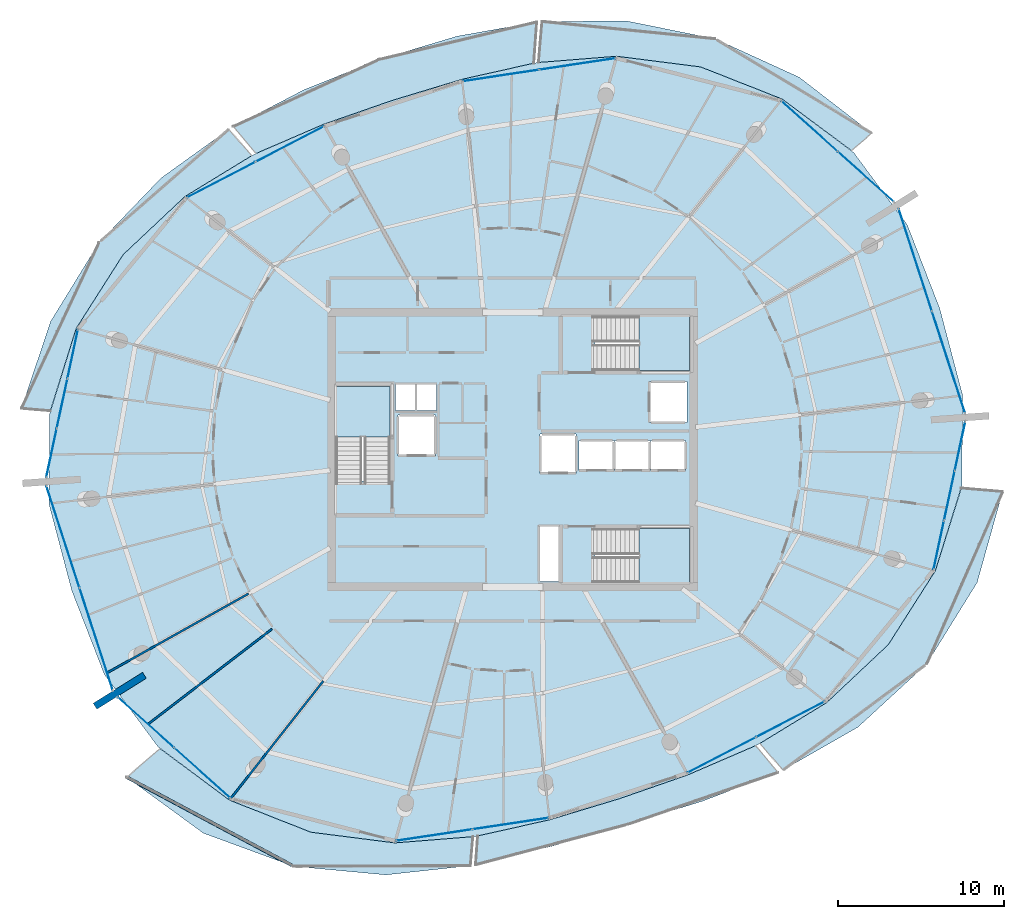
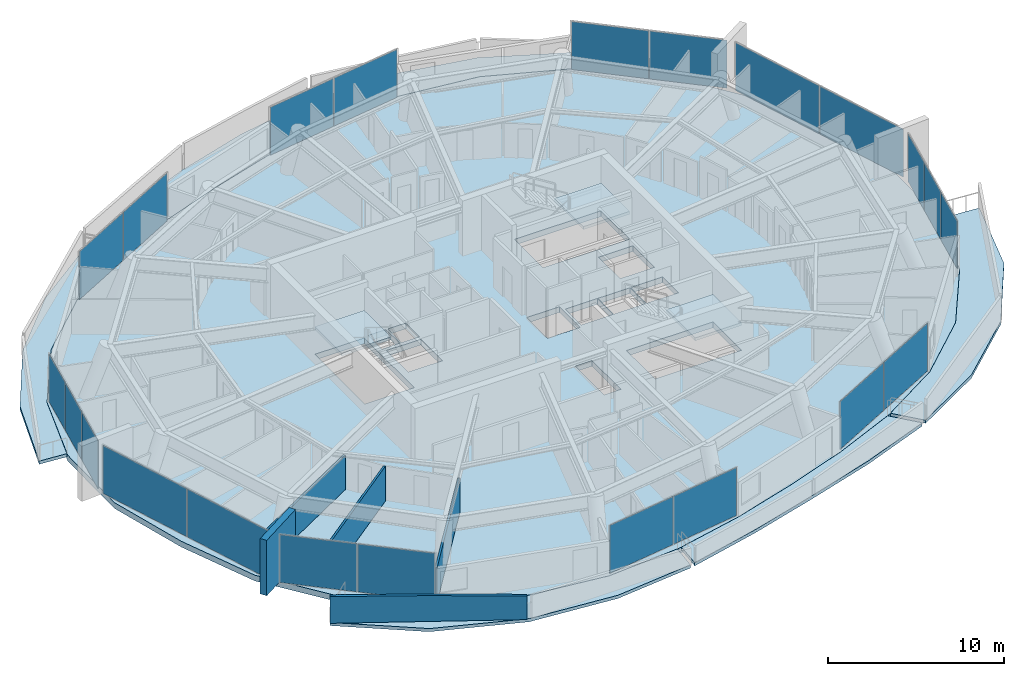
# One storey, part 13 of 24: 22 plates, 10 slabs, 5 walls, 13 elements without a shape of their own.
"""IFC4 building model written with IfcOpenShell, lengths in metres."""

from ifc_helpers import new_model, si_unit, direction, frame, frame_2d, origin, origin_2d, place, context, subcontext, project, spatial, polyline, rectangle, outline, extrude, material, layer, layer_set, type_object, element, aggregate, save


model = new_model("IFC4")

# Units and contexts
model_context = context("Model", 3, precision=1e-05, world=origin(), true_north=direction((0.0, 1.0)))
body_context = subcontext(model_context, "Body", "Model", "MODEL_VIEW")
ifc_project = project(units=[si_unit("LENGTHUNIT", "METRE"), si_unit("AREAUNIT", "SQUARE_METRE"), si_unit("VOLUMEUNIT", "CUBIC_METRE"), si_unit("PLANEANGLEUNIT", "RADIAN"), si_unit("MASSUNIT", "GRAM", prefix="KILO")], contexts=[model_context])

# Site, building, storey
site_placement = place(None, origin())
site = spatial("IfcSite", under=ifc_project, at=site_placement, CompositionType="ELEMENT")
building_placement = place(site_placement, origin())
building = spatial("IfcBuilding", under=site, at=building_placement, Name="Kazma Halo Residences", CompositionType="ELEMENT")
storey_placement = place(building_placement, frame((0.0, 0.0, 309.85009765625)))
storey = spatial("IfcBuildingStorey", under=building, at=storey_placement, Name="L78", CompositionType="ELEMENT", Elevation=309.85009765625)

# Curtain wall, plates
ifc_material_1 = material(Name="Aluminium AW-6063 T6 and Triple-Silver Low-E Glass", Category="aluminium")
ifc_layer_1 = layer(ifc_material_1, 0.139892578125)
ifc_layer_set_1 = layer_set([ifc_layer_1], Name="Aluminium AW-6063 T6 and Triple-Silver Low-E Glass")
curtain_wall_type = type_object("IfcCurtainWallType", Name="CW-SYS-5", PredefinedType="NOTDEFINED", material=ifc_layer_set_1)
curtain_wall_1_placement = place(storey_placement, origin())
curtain_wall_1 = element("IfcCurtainWall", 1, at=curtain_wall_1_placement, inside=storey, type_object=curtain_wall_type, Name="L78 unitised curtain wall B01", PredefinedType="NOTDEFINED")
ifc_material_2 = material(Name="Clear Triple-Silver Low-E Glass IGU", Category="glass")
ifc_layer_2 = layer(ifc_material_2, 0.02587890625)
ifc_layer_set_2 = layer_set([ifc_layer_2], Name="Clear Triple-Silver Low-E Glass IGU")
plate_type = type_object("IfcPlateType", Name="CW-SYS-5-PNL", PredefinedType="CURTAIN_PANEL", material=ifc_layer_set_2)
plate_1_placement = place(storey_placement, frame((69.629150390625, 58.383544921875, 0.059814453125), z_axis=(0.0, 0.0, 1.0), x_axis=(-0.744362326136, 0.667775956013, 0.0)))
plate_1 = element("IfcPlate", 2, at=plate_1_placement, type_object=plate_type, Name="CWS-5 panel 1.1", PredefinedType="CURTAIN_PANEL", context=body_context, shape_type="SweptSolid", body=[
    extrude(rectangle(XDim=4.4912109375, YDim=0.02587890625, at=origin_2d()), origin(), (0.0, 0.0, 1.0), 3.330078125),
])
plate_2_placement = place(storey_placement, frame((66.241455078125, 61.422607421875, 0.059814453125), z_axis=(0.0, 0.0, 1.0), x_axis=(-0.744362326136, 0.667775956013, 0.0)))
plate_2 = element("IfcPlate", 3, at=plate_2_placement, type_object=plate_type, Name="CWS-5 panel 2.1", PredefinedType="CURTAIN_PANEL", context=body_context, shape_type="SweptSolid", body=[
    extrude(rectangle(XDim=4.4912109375, YDim=0.02587890625, at=origin_2d()), origin(), (0.0, 0.0, 1.0), 3.330078125),
])
aggregate(curtain_wall_1, [plate_1, plate_2])

curtain_wall_2_placement = place(storey_placement, origin())
curtain_wall_2 = element("IfcCurtainWall", 4, at=curtain_wall_2_placement, inside=storey, type_object=curtain_wall_type, Name="L78 unitised curtain wall B03", PredefinedType="NOTDEFINED")
plate_3_placement = place(storey_placement, frame((52.303955078125, 65.16162109375, 0.059814453125), z_axis=(0.0, 0.0, 1.0), x_axis=(-0.9888666841, -0.148804170229, 0.0)))
plate_3 = element("IfcPlate", 5, at=plate_3_placement, type_object=plate_type, Name="CWS-5 panel 1.1", PredefinedType="CURTAIN_PANEL", context=body_context, shape_type="SweptSolid", body=[
    extrude(rectangle(XDim=4.586669921875, YDim=0.02587890625, at=origin_2d()), origin(), (0.0, 0.0, 1.0), 3.330078125),
])
plate_4_placement = place(storey_placement, frame((47.708984375, 64.469970703125, 0.059814453125), z_axis=(0.0, 0.0, 1.0), x_axis=(-0.9888666841, -0.148804170229, 0.0)))
plate_4 = element("IfcPlate", 6, at=plate_4_placement, type_object=plate_type, Name="CWS-5 panel 2.1", PredefinedType="CURTAIN_PANEL", context=body_context, shape_type="SweptSolid", body=[
    extrude(rectangle(XDim=4.586669921875, YDim=0.02587890625, at=origin_2d()), origin(), (0.0, 0.0, 1.0), 3.330078125),
])
aggregate(curtain_wall_2, [plate_3, plate_4])

curtain_wall_3_placement = place(storey_placement, origin())
curtain_wall_3 = element("IfcCurtainWall", 7, at=curtain_wall_3_placement, inside=storey, type_object=curtain_wall_type, Name="L78 unitised curtain wall B05", PredefinedType="NOTDEFINED")
plate_5_placement = place(storey_placement, frame((35.02783203125, 60.349853515625, 0.059814453125), z_axis=(0.0, 0.0, 1.0), x_axis=(-0.887473288052, -0.460859157438, 0.0)))
plate_5 = element("IfcPlate", 8, at=plate_5_placement, type_object=plate_type, Name="CWS-5 panel 1.1", PredefinedType="CURTAIN_PANEL", context=body_context, shape_type="SweptSolid", body=[
    extrude(rectangle(XDim=4.586669921875, YDim=0.02587890625, at=origin_2d()), origin(), (0.0, 0.0, 1.0), 3.330078125),
])
plate_6_placement = place(storey_placement, frame((30.904052734375, 58.208251953125, 0.059814453125), z_axis=(0.0, 0.0, 1.0), x_axis=(-0.887473288052, -0.460859157438, 0.0)))
plate_6 = element("IfcPlate", 9, at=plate_6_placement, type_object=plate_type, Name="CWS-5 panel 2.1", PredefinedType="CURTAIN_PANEL", context=body_context, shape_type="SweptSolid", body=[
    extrude(rectangle(XDim=4.586669921875, YDim=0.02587890625, at=origin_2d()), origin(), (0.0, 0.0, 1.0), 3.330078125),
])
aggregate(curtain_wall_3, [plate_5, plate_6])

curtain_wall_4_placement = place(storey_placement, origin())
curtain_wall_4 = element("IfcCurtainWall", 10, at=curtain_wall_4_placement, inside=storey, type_object=curtain_wall_type, Name="L78 unitised curtain wall B07", PredefinedType="NOTDEFINED")
plate_7_placement = place(storey_placement, frame((21.986083984375, 47.73779296875, 0.059814453125), z_axis=(0.0, 0.0, 1.0), x_axis=(-0.209698285347, -0.977766142348, 0.0)))
plate_7 = element("IfcPlate", 11, at=plate_7_placement, type_object=plate_type, Name="CWS-5 panel 1.1", PredefinedType="CURTAIN_PANEL", context=body_context, shape_type="SweptSolid", body=[
    extrude(rectangle(XDim=2.964111328125, YDim=0.02587890625, at=origin_2d()), origin(), (0.0, 0.0, 1.0), 3.330078125),
])
plate_8_placement = place(storey_placement, frame((21.3486328125, 44.766357421875, 0.059814453125), z_axis=(0.0, 0.0, 1.0), x_axis=(-0.209698285347, -0.977766142348, 0.0)))
plate_8 = element("IfcPlate", 12, at=plate_8_placement, type_object=plate_type, Name="CWS-5 panel 2.1", PredefinedType="CURTAIN_PANEL", context=body_context, shape_type="SweptSolid", body=[
    extrude(rectangle(XDim=2.994140625, YDim=0.02587890625, at=origin_2d()), origin(), (0.0, 0.0, 1.0), 3.330078125),
])
plate_9_placement = place(storey_placement, frame((20.71142578125, 41.794677734375, 0.059814453125), z_axis=(0.0, 0.0, 1.0), x_axis=(-0.209698285347, -0.977766142348, 0.0)))
plate_9 = element("IfcPlate", 13, at=plate_9_placement, type_object=plate_type, Name="CWS-5 panel 3.1", PredefinedType="CURTAIN_PANEL", context=body_context, shape_type="SweptSolid", body=[
    extrude(rectangle(XDim=2.964111328125, YDim=0.02587890625, at=origin_2d()), origin(), (0.0, 0.0, 1.0), 3.330078125),
])
aggregate(curtain_wall_4, [plate_7, plate_8, plate_9])

curtain_wall_5_placement = place(storey_placement, origin())
curtain_wall_5 = element("IfcCurtainWall", 14, at=curtain_wall_5_placement, inside=storey, type_object=curtain_wall_type, Name="L78 unitised curtain wall B08", PredefinedType="NOTDEFINED")
plate_10_placement = place(storey_placement, frame((21.402099609375, 36.752685546875, 0.059814453125), z_axis=(0.0, 0.0, 1.0), x_axis=(0.309016011411, -0.951056835679, 0.0)))
plate_10 = element("IfcPlate", 15, at=plate_10_placement, type_object=plate_type, Name="CWS-5 panel 1.1", PredefinedType="CURTAIN_PANEL", context=body_context, shape_type="SweptSolid", body=[
    extrude(rectangle(XDim=6.397216796875, YDim=0.02587890625, at=origin_2d()), origin(), (0.0, 0.0, 1.0), 3.330078125),
])
plate_11_placement = place(storey_placement, frame((23.3974609375, 30.611328125, 0.059814453125), z_axis=(0.0, 0.0, 1.0), x_axis=(0.309016011411, -0.951056835679, 0.0)))
plate_11 = element("IfcPlate", 16, at=plate_11_placement, type_object=plate_type, Name="CWS-5 panel 2.1", PredefinedType="CURTAIN_PANEL", context=body_context, shape_type="SweptSolid", body=[
    extrude(rectangle(XDim=6.397216796875, YDim=0.02587890625, at=origin_2d()), origin(), (0.0, 0.0, 1.0), 3.330078125),
])
aggregate(curtain_wall_5, [plate_10, plate_11])

curtain_wall_6_placement = place(storey_placement, origin())
curtain_wall_6 = element("IfcCurtainWall", 17, at=curtain_wall_6_placement, inside=storey, type_object=curtain_wall_type, Name="L78 unitised curtain wall B09", PredefinedType="NOTDEFINED")
plate_12_placement = place(storey_placement, frame((26.370849609375, 25.616455078125, 0.059814453125), z_axis=(0.0, 0.0, 1.0), x_axis=(0.744362326136, -0.667775956013, 0.0)))
plate_12 = element("IfcPlate", 18, at=plate_12_placement, type_object=plate_type, Name="CWS-5 panel 1.1", PredefinedType="CURTAIN_PANEL", context=body_context, shape_type="SweptSolid", body=[
    extrude(rectangle(XDim=4.4912109375, YDim=0.02587890625, at=origin_2d()), origin(), (0.0, 0.0, 1.0), 3.330078125),
])
plate_13_placement = place(storey_placement, frame((29.758544921875, 22.577392578125, 0.059814453125), z_axis=(0.0, 0.0, 1.0), x_axis=(0.744362326136, -0.667775956013, 0.0)))
plate_13 = element("IfcPlate", 19, at=plate_13_placement, type_object=plate_type, Name="CWS-5 panel 2.1", PredefinedType="CURTAIN_PANEL", context=body_context, shape_type="SweptSolid", body=[
    extrude(rectangle(XDim=4.4912109375, YDim=0.02587890625, at=origin_2d()), origin(), (0.0, 0.0, 1.0), 3.330078125),
])
aggregate(curtain_wall_6, [plate_12, plate_13])

curtain_wall_7_placement = place(storey_placement, origin())
curtain_wall_7 = element("IfcCurtainWall", 20, at=curtain_wall_7_placement, inside=storey, type_object=curtain_wall_type, Name="L78 unitised curtain wall B11", PredefinedType="NOTDEFINED")
plate_14_placement = place(storey_placement, frame((43.696044921875, 18.83837890625, 0.059814453125), z_axis=(0.0, 0.0, 1.0), x_axis=(0.9888666841, 0.148804170229, 0.0)))
plate_14 = element("IfcPlate", 21, at=plate_14_placement, type_object=plate_type, Name="CWS-5 panel 1.1", PredefinedType="CURTAIN_PANEL", context=body_context, shape_type="SweptSolid", body=[
    extrude(rectangle(XDim=4.586669921875, YDim=0.02587890625, at=origin_2d()), origin(), (0.0, 0.0, 1.0), 3.330078125),
])
plate_15_placement = place(storey_placement, frame((48.291015625, 19.530029296875, 0.059814453125), z_axis=(0.0, 0.0, 1.0), x_axis=(0.9888666841, 0.148804170229, 0.0)))
plate_15 = element("IfcPlate", 22, at=plate_15_placement, type_object=plate_type, Name="CWS-5 panel 2.1", PredefinedType="CURTAIN_PANEL", context=body_context, shape_type="SweptSolid", body=[
    extrude(rectangle(XDim=4.586669921875, YDim=0.02587890625, at=origin_2d()), origin(), (0.0, 0.0, 1.0), 3.330078125),
])
aggregate(curtain_wall_7, [plate_14, plate_15])

curtain_wall_8_placement = place(storey_placement, origin())
curtain_wall_8 = element("IfcCurtainWall", 23, at=curtain_wall_8_placement, inside=storey, type_object=curtain_wall_type, Name="L78 unitised curtain wall B13", PredefinedType="NOTDEFINED")
plate_16_placement = place(storey_placement, frame((60.97216796875, 23.650146484375, 0.059814453125), z_axis=(0.0, 0.0, 1.0), x_axis=(0.887473288052, 0.460859157438, 0.0)))
plate_16 = element("IfcPlate", 24, at=plate_16_placement, type_object=plate_type, Name="CWS-5 panel 1.1", PredefinedType="CURTAIN_PANEL", context=body_context, shape_type="SweptSolid", body=[
    extrude(rectangle(XDim=4.586669921875, YDim=0.02587890625, at=origin_2d()), origin(), (0.0, 0.0, 1.0), 3.330078125),
])
plate_17_placement = place(storey_placement, frame((65.095947265625, 25.791748046875, 0.059814453125), z_axis=(0.0, 0.0, 1.0), x_axis=(0.887473288052, 0.460859157438, 0.0)))
plate_17 = element("IfcPlate", 25, at=plate_17_placement, type_object=plate_type, Name="CWS-5 panel 2.1", PredefinedType="CURTAIN_PANEL", context=body_context, shape_type="SweptSolid", body=[
    extrude(rectangle(XDim=4.586669921875, YDim=0.02587890625, at=origin_2d()), origin(), (0.0, 0.0, 1.0), 3.330078125),
])
aggregate(curtain_wall_8, [plate_16, plate_17])

curtain_wall_9_placement = place(storey_placement, origin())
curtain_wall_9 = element("IfcCurtainWall", 26, at=curtain_wall_9_placement, inside=storey, type_object=curtain_wall_type, Name="L78 unitised curtain wall B15", PredefinedType="NOTDEFINED")
plate_18_placement = place(storey_placement, frame((74.013916015625, 36.26220703125, 0.059814453125), z_axis=(0.0, 0.0, 1.0), x_axis=(0.209698285347, 0.977766142348, 0.0)))
plate_18 = element("IfcPlate", 27, at=plate_18_placement, type_object=plate_type, Name="CWS-5 panel 1.1", PredefinedType="CURTAIN_PANEL", context=body_context, shape_type="SweptSolid", body=[
    extrude(rectangle(XDim=2.964111328125, YDim=0.02587890625, at=origin_2d()), origin(), (0.0, 0.0, 1.0), 3.330078125),
])
plate_19_placement = place(storey_placement, frame((74.6513671875, 39.233642578125, 0.059814453125), z_axis=(0.0, 0.0, 1.0), x_axis=(0.209698285347, 0.977766142348, 0.0)))
plate_19 = element("IfcPlate", 28, at=plate_19_placement, type_object=plate_type, Name="CWS-5 panel 2.1", PredefinedType="CURTAIN_PANEL", context=body_context, shape_type="SweptSolid", body=[
    extrude(rectangle(XDim=2.994140625, YDim=0.02587890625, at=origin_2d()), origin(), (0.0, 0.0, 1.0), 3.330078125),
])
plate_20_placement = place(storey_placement, frame((75.28857421875, 42.205322265625, 0.059814453125), z_axis=(0.0, 0.0, 1.0), x_axis=(0.209698285347, 0.977766142348, 0.0)))
plate_20 = element("IfcPlate", 29, at=plate_20_placement, type_object=plate_type, Name="CWS-5 panel 3.1", PredefinedType="CURTAIN_PANEL", context=body_context, shape_type="SweptSolid", body=[
    extrude(rectangle(XDim=2.964111328125, YDim=0.02587890625, at=origin_2d()), origin(), (0.0, 0.0, 1.0), 3.330078125),
])
aggregate(curtain_wall_9, [plate_18, plate_19, plate_20])

curtain_wall_10_placement = place(storey_placement, origin())
curtain_wall_10 = element("IfcCurtainWall", 30, at=curtain_wall_10_placement, inside=storey, type_object=curtain_wall_type, Name="L78 unitised curtain wall B16", PredefinedType="NOTDEFINED")
plate_21_placement = place(storey_placement, frame((74.597900390625, 47.247314453125, 0.059814453125), z_axis=(0.0, 0.0, 1.0), x_axis=(-0.309016011411, 0.951056835679, 0.0)))
plate_21 = element("IfcPlate", 31, at=plate_21_placement, type_object=plate_type, Name="CWS-5 panel 1.1", PredefinedType="CURTAIN_PANEL", context=body_context, shape_type="SweptSolid", body=[
    extrude(rectangle(XDim=6.397216796875, YDim=0.02587890625, at=origin_2d()), origin(), (0.0, 0.0, 1.0), 3.330078125),
])
plate_22_placement = place(storey_placement, frame((72.6025390625, 53.388671875, 0.059814453125), z_axis=(0.0, 0.0, 1.0), x_axis=(-0.309016011411, 0.951056835679, 0.0)))
plate_22 = element("IfcPlate", 32, at=plate_22_placement, type_object=plate_type, Name="CWS-5 panel 2.1", PredefinedType="CURTAIN_PANEL", context=body_context, shape_type="SweptSolid", body=[
    extrude(rectangle(XDim=6.397216796875, YDim=0.02587890625, at=origin_2d()), origin(), (0.0, 0.0, 1.0), 3.330078125),
])
aggregate(curtain_wall_10, [plate_21, plate_22])

# Slabs
ifc_material_3 = material(Name="White Concrete C50/60", Category="concrete")
ifc_layer_3 = layer(ifc_material_3, 0.219970703125)
ifc_layer_set_3 = layer_set([ifc_layer_3], Name="White Concrete C50/60")
slab_type_1 = type_object("IfcSlabType", Name="SLB-BAL-WAVE-210", PredefinedType="FLOOR", material=ifc_layer_set_3)
slab_1_placement = place(storey_placement, frame((0.0, 0.0, -0.22021484375)))
element("IfcSlab", 33, at=slab_1_placement, inside=storey, type_object=slab_type_1, Name="L78 NE cantilevered wave balcony slab", PredefinedType="FLOOR", context=body_context, shape_type="SweptSolid", body=[
    extrude(outline(polyline([(68.77197265625, 59.961669921875), (64.600830078125, 63.05810546875), (59.7119140625, 64.98583984375), (54.6640625, 65.629150390625), (49.97314453125, 65.255126953125), (50.181884765625, 67.716064453125), (55.260986328125, 67.74609375), (60.573974609375, 66.677734375), (65.632080078125, 64.3662109375), (69.9814453125, 61.00732421875), (68.77197265625, 59.961669921875)])), origin(), (0.0, 0.0, 1.0), 0.22021484375),
])
slab_2_placement = place(storey_placement, frame((0.0, 0.0, -0.22021484375)))
element("IfcSlab", 34, at=slab_2_placement, inside=storey, type_object=slab_type_1, Name="L78 NNW cantilevered wave balcony slab", PredefinedType="FLOOR", context=body_context, shape_type="SweptSolid", body=[
    extrude(outline(polyline([(49.68408203125, 65.2119140625), (45.36767578125, 64.2412109375), (41.18408203125, 62.97705078125), (37.056640625, 61.540771484375), (32.993896484375, 59.788818359375), (31.630615234375, 61.40478515625), (35.890380859375, 63.623291015625), (40.387451171875, 65.42919921875), (45.06103515625, 66.8310546875), (49.863525390625, 67.684326171875), (49.68408203125, 65.2119140625)])), origin(), (0.0, 0.0, 1.0), 0.22021484375),
])
slab_3_placement = place(storey_placement, frame((0.0, 0.0, -0.22021484375)))
element("IfcSlab", 35, at=slab_3_placement, inside=storey, type_object=slab_type_1, Name="L78 NW cantilevered wave balcony slab", PredefinedType="FLOOR", context=body_context, shape_type="SweptSolid", body=[
    extrude(outline(polyline([(32.734619140625, 59.654052734375), (28.7197265625, 57.19921875), (25.01416015625, 53.7119140625), (22.19189453125, 49.278564453125), (20.637451171875, 44.32177734375), (18.8994140625, 44.46923828125), (20.66357421875, 49.709716796875), (23.572998046875, 54.4462890625), (27.299072265625, 58.3193359375), (31.361328125, 61.241943359375), (32.734619140625, 59.654052734375)])), origin(), (0.0, 0.0, 1.0), 0.22021484375),
])
slab_4_placement = place(storey_placement, frame((0.0, 0.0, -0.22021484375)))
element("IfcSlab", 36, at=slab_4_placement, inside=storey, type_object=slab_type_1, Name="L78 SW cantilevered wave balcony slab", PredefinedType="FLOOR", context=body_context, shape_type="SweptSolid", body=[
    extrude(outline(polyline([(27.22802734375, 24.038330078125), (31.399169921875, 20.94189453125), (36.2880859375, 19.01416015625), (41.3359375, 18.370849609375), (46.02685546875, 18.744873046875), (45.87890625, 17.003173828125), (40.7939453125, 16.44921875), (35.245361328125, 16.967529296875), (29.83251953125, 18.95458984375), (25.232177734375, 22.3125), (27.22802734375, 24.038330078125)])), origin(), (0.0, 0.0, 1.0), 0.22021484375),
])
slab_5_placement = place(storey_placement, frame((0.0, 0.0, -0.22021484375)))
element("IfcSlab", 37, at=slab_5_placement, inside=storey, type_object=slab_type_1, Name="L78 SSE cantilevered wave balcony slab", PredefinedType="FLOOR", context=body_context, shape_type="SweptSolid", body=[
    extrude(outline(polyline([(46.31591796875, 18.7880859375), (50.63232421875, 19.7587890625), (54.81591796875, 21.02294921875), (58.943359375, 22.459228515625), (63.006103515625, 24.211181640625), (64.35693359375, 22.60986328125), (59.827392578125, 20.880859375), (55.315673828125, 19.484619140625), (50.819091796875, 18.181884765625), (46.190673828125, 17.0625), (46.31591796875, 18.7880859375)])), origin(), (0.0, 0.0, 1.0), 0.22021484375),
])
slab_6_placement = place(storey_placement, frame((0.0, 0.0, -0.22021484375)))
element("IfcSlab", 38, at=slab_6_placement, inside=storey, type_object=slab_type_1, Name="L78 SE cantilevered wave balcony slab", PredefinedType="FLOOR", context=body_context, shape_type="SweptSolid", body=[
    extrude(outline(polyline([(63.265380859375, 24.345947265625), (67.2802734375, 26.80078125), (70.98583984375, 30.2880859375), (73.80810546875, 34.721435546875), (75.362548828125, 39.67822265625), (77.8466796875, 39.467529296875), (76.318115234375, 34.013427734375), (73.283203125, 29.11767578125), (69.15478515625, 25.322998046875), (64.651123046875, 22.74365234375), (63.265380859375, 24.345947265625)])), origin(), (0.0, 0.0, 1.0), 0.22021484375),
])

# Stair, slab
ifc_material_4 = material(Name="Concrete C50/60", Category="concrete")
stair_type = type_object("IfcStairType", Name="STR-RES2", PredefinedType="HALF_TURN_STAIR", material=ifc_material_4)
stair_1_placement = place(storey_placement, origin())
stair_1 = element("IfcStair", 39, at=stair_1_placement, inside=storey, type_object=stair_type, Name="L78 Core exit stair ST-01", PredefinedType="HALF_TURN_STAIR")
ifc_layer_4 = layer(ifc_material_4, 0.199951171875)
ifc_layer_set_4 = layer_set([ifc_layer_4], Name="Concrete C50/60")
slab_type_2 = type_object("IfcSlabType", Name="SLB-STAIR-LND-200", PredefinedType="LANDING", material=ifc_layer_set_4)
slab_7_placement = place(storey_placement, frame((0.0, 0.0, 1.724853515625)))
slab_7 = element("IfcSlab", 40, at=slab_7_placement, type_object=slab_type_2, Name="ST-01 landing 1", PredefinedType="LANDING", context=body_context, shape_type="SweptSolid", body=[
    extrude(outline(polyline([(41.050048828125, 42.75), (41.050048828125, 45.800048828125), (37.800048828125, 45.800048828125), (37.800048828125, 42.75), (41.050048828125, 42.75)])), origin(), (0.0, 0.0, 1.0), 0.199951171875),
])
aggregate(stair_1, [slab_7])

stair_2_placement = place(storey_placement, origin())
stair_2 = element("IfcStair", 41, at=stair_2_placement, inside=storey, type_object=stair_type, Name="L78 Core exit stair ST-02", PredefinedType="HALF_TURN_STAIR")
slab_8_placement = place(storey_placement, frame((0.0, 0.0, 1.724853515625)))
slab_8 = element("IfcSlab", 42, at=slab_8_placement, type_object=slab_type_2, Name="ST-02 landing 1", PredefinedType="LANDING", context=body_context, shape_type="SweptSolid", body=[
    extrude(outline(polyline([(56.0, 46.75), (59.050048828125, 46.75), (59.050048828125, 50.0), (56.0, 50.0), (56.0, 46.75)])), origin(), (0.0, 0.0, 1.0), 0.199951171875),
])
aggregate(stair_2, [slab_8])

stair_3_placement = place(storey_placement, origin())
stair_3 = element("IfcStair", 43, at=stair_3_placement, inside=storey, type_object=stair_type, Name="L78 Core exit stair ST-03", PredefinedType="HALF_TURN_STAIR")
slab_9_placement = place(storey_placement, frame((0.0, 0.0, 1.724853515625)))
slab_9 = element("IfcSlab", 44, at=slab_9_placement, type_object=slab_type_2, Name="ST-03 landing 1", PredefinedType="LANDING", context=body_context, shape_type="SweptSolid", body=[
    extrude(outline(polyline([(56.0, 34.0), (59.050048828125, 34.0), (59.050048828125, 37.25), (56.0, 37.25), (56.0, 34.0)])), origin(), (0.0, 0.0, 1.0), 0.199951171875),
])
aggregate(stair_3, [slab_9])

# Slab
ifc_material_5 = material(Name="Concrete C60/75", Category="concrete")
ifc_layer_5 = layer(ifc_material_5, 0.39990234375)
ifc_layer_set_5 = layer_set([ifc_layer_5], Name="Concrete C60/75")
slab_type_3 = type_object("IfcSlabType", Name="SLB-TRANS-400", PredefinedType="FLOOR", material=ifc_layer_set_5)
slab_10_placement = place(storey_placement, frame((0.0, 0.0, -0.400146484375)))
element("IfcSlab", 45, at=slab_10_placement, inside=storey, type_object=slab_type_3, Name="L78 structural floor slab", PredefinedType="FLOOR", context=body_context, shape_type="SweptSolid", body=[
    extrude(outline(polyline([(74.072021484375, 50.47119140625), (72.1162109375, 55.505859375), (68.8984375, 59.848876953125), (64.599609375, 63.056396484375), (59.7109375, 64.98388671875), (54.66357421875, 65.627197265625), (49.8291015625, 65.240478515625), (45.367919921875, 64.239013671875), (41.184814453125, 62.97509765625), (37.0576171875, 61.5390625), (32.85986328125, 59.726806640625), (28.721435546875, 57.197998046875), (25.01611328125, 53.7109375), (22.19384765625, 49.278076171875), (20.6015625, 44.15625), (20.551025390625, 38.751220703125), (21.927978515625, 33.52880859375), (23.8837890625, 28.494140625), (27.1015625, 24.151123046875), (31.400390625, 20.943603515625), (36.2890625, 19.01611328125), (41.33642578125, 18.372802734375), (46.1708984375, 18.759521484375), (50.632080078125, 19.760986328125), (54.815185546875, 21.02490234375), (58.9423828125, 22.4609375), (63.14013671875, 24.273193359375), (67.278564453125, 26.802001953125), (70.98388671875, 30.2890625), (73.80615234375, 34.721923828125), (75.3984375, 39.84375), (75.448974609375, 45.248779296875), (74.072021484375, 50.47119140625)]), holes=[polyline([(37.800048828125, 40.110107421875), (41.050048828125, 40.110107421875), (41.050048828125, 45.800048828125), (37.800048828125, 45.800048828125), (37.800048828125, 40.110107421875)]), polyline([(53.360107421875, 46.75), (59.050048828125, 46.75), (59.050048828125, 50.0), (53.360107421875, 50.0), (53.360107421875, 46.75)]), polyline([(53.360107421875, 34.0), (59.050048828125, 34.0), (59.050048828125, 37.25), (53.360107421875, 37.25), (53.360107421875, 34.0)]), polyline([(41.52001953125, 41.6201171875), (43.780029296875, 41.6201171875), (43.780029296875, 44.080078125), (41.52001953125, 44.080078125), (41.52001953125, 41.6201171875)]), polyline([(56.6201171875, 43.6201171875), (58.8798828125, 43.6201171875), (58.8798828125, 46.080078125), (56.6201171875, 46.080078125), (56.6201171875, 43.6201171875)]), polyline([(52.39501953125, 40.7451171875), (54.5048828125, 40.7451171875), (54.5048828125, 42.554931640625), (52.39501953125, 42.554931640625), (52.39501953125, 40.7451171875)]), polyline([(54.544921875, 40.7451171875), (56.655029296875, 40.7451171875), (56.655029296875, 42.554931640625), (54.544921875, 42.554931640625), (54.544921875, 40.7451171875)]), polyline([(56.695068359375, 40.7451171875), (58.804931640625, 40.7451171875), (58.804931640625, 42.554931640625), (56.695068359375, 42.554931640625), (56.695068359375, 40.7451171875)]), polyline([(50.070068359375, 40.570068359375), (52.22998046875, 40.570068359375), (52.22998046875, 42.929931640625), (50.070068359375, 42.929931640625), (50.070068359375, 40.570068359375)]), polyline([(41.360107421875, 44.340087890625), (42.5400390625, 44.340087890625), (42.5400390625, 45.89990234375), (41.360107421875, 45.89990234375), (41.360107421875, 44.340087890625)]), polyline([(42.659912109375, 44.340087890625), (43.840087890625, 44.340087890625), (43.840087890625, 45.89990234375), (42.659912109375, 45.89990234375), (42.659912109375, 44.340087890625)]), polyline([(50.06005859375, 34.080078125), (51.159912109375, 34.080078125), (51.159912109375, 37.3798828125), (50.06005859375, 37.3798828125), (50.06005859375, 34.080078125)])]), origin(), (0.0, 0.0, 1.0), 0.400146484375),
])

# Walls
ifc_material_6 = material(Name="White Concrete C50/60 Balustrade", Category="concrete")
ifc_layer_6 = layer(ifc_material_6, 0.179931640625)
ifc_layer_set_6 = layer_set([ifc_layer_6], Name="White Concrete C50/60 Balustrade")
wall_type_1 = type_object("IfcWallType", Name="WL-BAL-WAVE-180", PredefinedType="PARAPET", material=ifc_layer_set_6)
wall_1_placement = place(storey_placement, frame((25.232177734375, 22.3125, 0.0), z_axis=(0.0, 0.0, 1.0), x_axis=(0.882187395897, -0.470898501294, 0.0)))
element("IfcWall", 46, at=wall_1_placement, inside=storey, type_object=wall_type_1, Name="L78 white wave balustrade wall SW.1", PredefinedType="PARAPET", context=body_context, shape_type="SweptSolid", body=[
    extrude(outline(polyline([(0.0, 0.0), (11.230224609375, 0.0), (11.23046875, 1.6318359375), (5.615234375, 1.7978515625), (0.0, 1.85986328125), (0.0, 0.0)])), frame((0.0, 0.08984375, 0.0), z_axis=(0.0, -1.0, 0.0), x_axis=(1.0, 0.0, 0.0)), (0.0, 0.0, 1.0), 0.179931640625),
])
ifc_material_7 = material(Name="Pale Concrete C60/75", Category="concrete")
ifc_layer_7 = layer(ifc_material_7, 0.419921875)
ifc_layer_set_7 = layer_set([ifc_layer_7], Name="Pale Concrete C60/75")
wall_type_2 = type_object("IfcWallType", Name="WL-BLADE-420", PredefinedType="SOLIDWALL", material=ifc_layer_set_7)
wall_2_placement = place(storey_placement, frame((26.292724609375, 28.435791015625, 0.0), z_axis=(0.0, 0.0, 1.0), x_axis=(-0.848053161125, -0.529911158502, 0.0)))
element("IfcWall", 47, at=wall_2_placement, inside=storey, type_object=wall_type_2, Name="L78 pale concrete structural blade fin wall BW-03", PredefinedType="SOLIDWALL", context=body_context, shape_type="SweptSolid", body=[
    extrude(rectangle(XDim=3.5, YDim=0.419921875, at=frame_2d((1.75, 0.0))), origin(), (0.0, 0.0, 1.0), 3.849853515625),
])
ifc_material_8 = material(Name="Gypsum Plasterboard Partition")
ifc_layer_8 = layer(ifc_material_8, 0.125)
ifc_layer_set_8 = layer_set([ifc_layer_8], Name="Gypsum Plasterboard Partition")
wall_type_3 = type_object("IfcWallType", Name="WL-PART-125", PredefinedType="PARTITIONING", material=ifc_layer_set_8)
wall_3_placement = place(storey_placement, frame((32.54638671875, 33.345458984375, 0.0), z_axis=(0.0, 0.0, 1.0), x_axis=(-0.872502156347, -0.488610261015, 0.0)))
element("IfcWall", 48, at=wall_3_placement, inside=storey, type_object=wall_type_3, Name="L78 Apartment 2 radial partition 8", PredefinedType="PARTITIONING", context=body_context, shape_type="SweptSolid", body=[
    extrude(rectangle(XDim=9.7080078125, YDim=0.125, at=frame_2d((4.85400390625, 0.0))), origin(), (0.0, 0.0, 1.0), 2.406982421875),
])
wall_4_placement = place(storey_placement, frame((37.03466796875, 28.090576171875, 0.0), z_axis=(0.0, 0.0, 1.0), x_axis=(-0.619104103532, -0.785308925831, 0.0)))
element("IfcWall", 49, at=wall_4_placement, inside=storey, type_object=wall_type_3, Name="L78 Apartment 2 living radial partition 8", PredefinedType="PARTITIONING", context=body_context, shape_type="SweptSolid", body=[
    extrude(rectangle(XDim=8.9560546875, YDim=0.125, at=frame_2d((4.47802734375, 0.0))), origin(), (0.0, 0.0, 1.0), 2.406982421875),
])
wall_5_placement = place(storey_placement, frame((33.95751953125, 31.221923828125, 0.0), z_axis=(0.0, 0.0, 1.0), x_axis=(-0.793278024222, -0.608859570251, 0.0)))
element("IfcWall", 50, at=wall_5_placement, inside=storey, type_object=wall_type_3, Name="L78 Apartment 2 mid-bay wall 8", PredefinedType="PARTITIONING", context=body_context, shape_type="SweptSolid", body=[
    extrude(rectangle(XDim=9.3740234375, YDim=0.125, at=frame_2d((4.68701171875, 0.0))), origin(), (0.0, 0.0, 1.0), 2.4248046875),
])

save(model, "model.ifc")
